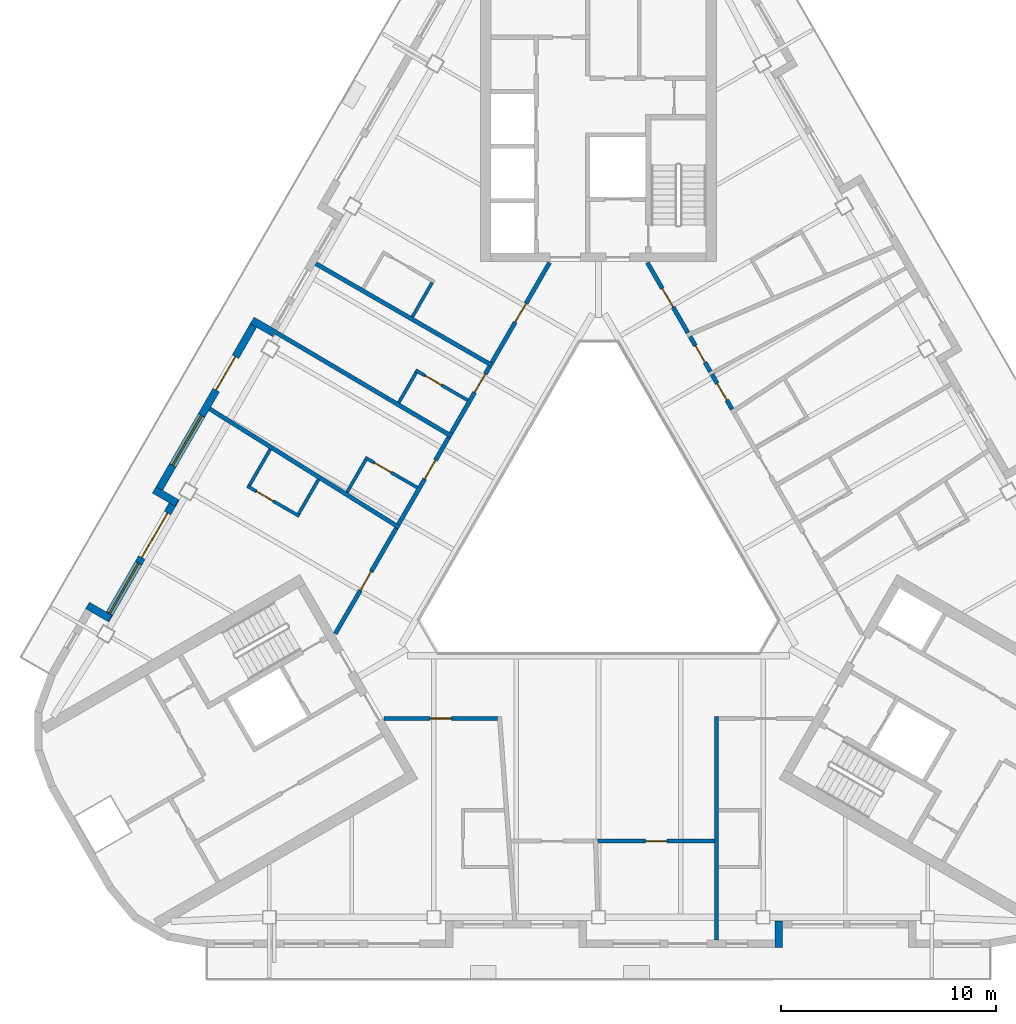
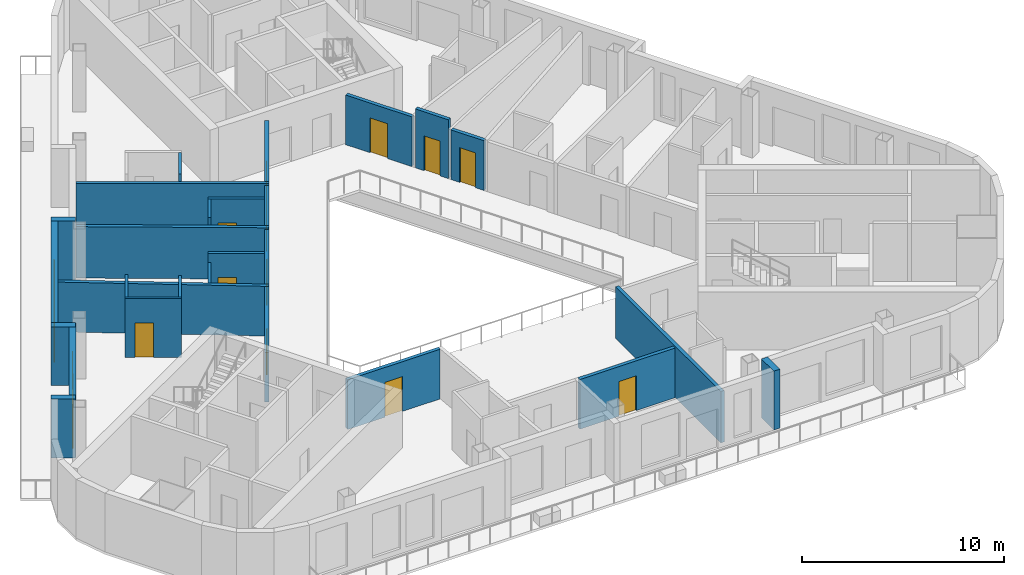
# One storey, part 4 of 14: 27 walls, 14 doors, 2 windows, 16 openings.
"""IFC4 building model written with IfcOpenShell, lengths in metres."""

from ifc_helpers import new_model, si_unit, direction, frame, frame_2d, origin, place, context, subcontext, project, spatial, rectangle, extrude, material, layer, layer_set, type_object, element, fill, save


model = new_model("IFC4")

# Units and contexts
model_context = context("Model", 3, precision=1e-05, world=origin(), true_north=direction((0.0, 1.0)))
body_context = subcontext(model_context, "Body", "Model", "MODEL_VIEW")
ifc_project = project(units=[si_unit("LENGTHUNIT", "METRE"), si_unit("AREAUNIT", "SQUARE_METRE"), si_unit("VOLUMEUNIT", "CUBIC_METRE"), si_unit("PLANEANGLEUNIT", "RADIAN"), si_unit("MASSUNIT", "GRAM", prefix="KILO")], contexts=[model_context])

# Site, building, storey
site_placement = place(None, origin())
site = spatial("IfcSite", under=ifc_project, at=site_placement, CompositionType="ELEMENT")
building_placement = place(site_placement, origin())
building = spatial("IfcBuilding", under=site, at=building_placement, Name="Apuvela Tower Hotel", CompositionType="ELEMENT")
storey_placement = place(building_placement, frame((0.0, 0.0, 261.5)))
storey = spatial("IfcBuildingStorey", under=building, at=storey_placement, Name="L64", CompositionType="ELEMENT", Elevation=261.5)

# Wall
ifc_material_1 = material(Name="Concrete C40/50, dark pigmented precast panel", Category="concrete")
ifc_layer_1 = layer(ifc_material_1, 0.35009765625)
ifc_layer_set_1 = layer_set([ifc_layer_1], Name="ENV-WALL-350")
wall_type_1 = type_object("IfcWallType", Name="ENV-WALL-350", PredefinedType="SOLIDWALL", material=ifc_layer_set_1)
wall_1_placement = place(storey_placement, frame((-15.08984375, 9.54931640625, 0.0), z_axis=(0.0, 0.0, 1.0), x_axis=(-0.866092288191, 0.499884134912, 0.0)))
element("IfcWall", 1, at=wall_1_placement, inside=storey, type_object=wall_type_1, Name="External wall L64-04", PredefinedType="SOLIDWALL", context=body_context, shape_type="SweptSolid", body=[
    extrude(rectangle(XDim=1.219970703125, YDim=0.35009765625, at=frame_2d((0.60986328125, 0.0))), origin(), (0.0, 0.0, 1.0), 3.550048828125),
])

# Wall, openings, door, window
wall_2_placement = place(storey_placement, frame((-15.907470703125, 10.223388671875, 0.0), z_axis=(0.0, 0.0, 1.0), x_axis=(-0.499992427901, -0.866029775494, 0.0)))
wall_2 = element("IfcWall", 2, at=wall_2_placement, inside=storey, type_object=wall_type_1, Name="External wall L64-05", PredefinedType="SOLIDWALL", context=body_context, shape_type="SweptSolid", body=[
    extrude(rectangle(XDim=9.471923828125, YDim=0.35009765625, at=frame_2d((4.73583984375, 0.0))), origin(), (0.0, 0.0, 1.0), 3.550048828125),
])
opening_1_placement = place(wall_2_placement, frame((2.0302734375, 0.0, 0.0)))
opening_1 = element("IfcOpeningElement", 3, at=opening_1_placement, cuts=wall_2, Name="Opening BD18", PredefinedType="OPENING", context=body_context, shape_type="SweptSolid", body=[
    extrude(rectangle(XDim=1.800048828125, YDim=2.39990234375, at=frame_2d((0.89990234375, 1.199951171875))), frame((0.0, 0.18505859375, 0.0), z_axis=(0.0, -1.0, 0.0), x_axis=(1.0, 0.0, 0.0)), (0.0, 0.0, 1.0), 0.3701171875),
])
opening_2_placement = place(wall_2_placement, frame((5.185546875, 0.0, 0.300048828125)))
opening_2 = element("IfcOpeningElement", 4, at=opening_2_placement, cuts=wall_2, Name="Opening WN27", PredefinedType="OPENING", context=body_context, shape_type="SweptSolid", body=[
    extrude(rectangle(XDim=2.699951171875, YDim=2.64990234375, at=frame_2d((1.35009765625, 1.324951171875))), frame((0.0, 0.18505859375, 0.0), z_axis=(0.0, -1.0, 0.0), x_axis=(1.0, 0.0, 0.0)), (0.0, 0.0, 1.0), 0.3701171875),
])
ifc_material_2 = material(Name="Aluminium 6063-T6, dark bronze anodised frame with dark tinted laminated glass", Category="aluminium")
door_type_1 = type_object("IfcDoorType", Name="ENV-DOOR-BALCONY-1800x2400", OperationType="SLIDING_TO_LEFT", PredefinedType="DOOR", material=ifc_material_2)
door_1_placement = place(opening_1_placement, frame((1.800048828125, 0.0, 0.0), z_axis=(0.0, 0.0, 1.0), x_axis=(-1.0, 0.0, 0.0)))
door_1 = element("IfcDoor", 5, at=door_1_placement, inside=storey, type_object=door_type_1, Name="Balcony door BD18", OperationType="SLIDING_TO_LEFT", OverallHeight=2.39990234375, OverallWidth=1.800048828125, PredefinedType="DOOR", context=body_context, shape_type="SweptSolid", body=[
    extrude(rectangle(XDim=1.800048828125, YDim=2.39990234375, at=frame_2d((0.89990234375, 1.199951171875))), frame((0.0, 0.02490234375, 0.0), z_axis=(0.0, -1.0, 0.0), x_axis=(1.0, 0.0, 0.0)), (0.0, 0.0, 1.0), 0.050048828125),
])
fill(opening_1, door_1)
ifc_material_3 = material(Name="Glass, dark tinted laminated insulated glazing unit", Category="glass")
window_type = type_object("IfcWindowType", Name="ENV-WIN-2700x2650", PartitioningType="SINGLE_PANEL", PredefinedType="WINDOW", material=ifc_material_3)
window_1_placement = place(opening_2_placement, origin())
window_1 = element("IfcWindow", 6, at=window_1_placement, inside=storey, type_object=window_type, Name="Window WN27", OverallHeight=2.64990234375, OverallWidth=2.699951171875, PartitioningType="SINGLE_PANEL", PredefinedType="WINDOW", context=body_context, shape_type="SweptSolid", body=[
    extrude(rectangle(XDim=2.699951171875, YDim=2.64990234375, at=frame_2d((1.35009765625, 1.324951171875))), frame((0.0, 0.030029296875, 0.0), z_axis=(0.0, -1.0, 0.0), x_axis=(1.0, 0.0, 0.0)), (0.0, 0.0, 1.0), 0.06005859375),
])
fill(opening_2, window_1)

# Wall
wall_3_placement = place(storey_placement, frame((-20.70751953125, 2.259521484375, 0.0), z_axis=(0.0, 0.0, 1.0), x_axis=(0.866092288191, -0.499884134912, 0.0)))
element("IfcWall", 7, at=wall_3_placement, inside=storey, type_object=wall_type_1, Name="External wall L64-06", PredefinedType="SOLIDWALL", context=body_context, shape_type="SweptSolid", body=[
    extrude(rectangle(XDim=1.219970703125, YDim=0.35009765625, at=frame_2d((0.60986328125, 0.0))), origin(), (0.0, 0.0, 1.0), 3.550048828125),
])

# Wall, openings, door, window
wall_4_placement = place(storey_placement, frame((-19.703857421875, 1.84765625, 0.0), z_axis=(0.0, 0.0, 1.0), x_axis=(-0.499993986225, -0.866028875811, 0.0)))
wall_4 = element("IfcWall", 8, at=wall_4_placement, inside=storey, type_object=wall_type_1, Name="External wall L64-07", PredefinedType="SOLIDWALL", context=body_context, shape_type="SweptSolid", body=[
    extrude(rectangle(XDim=6.51171875, YDim=0.35009765625, at=frame_2d((3.255859375, 0.0))), origin(), (0.0, 0.0, 1.0), 3.550048828125),
])
opening_3_placement = place(wall_4_placement, frame((0.77001953125, 0.0, 0.0)))
opening_3 = element("IfcOpeningElement", 9, at=opening_3_placement, cuts=wall_4, Name="Opening BD24", PredefinedType="OPENING", context=body_context, shape_type="SweptSolid", body=[
    extrude(rectangle(XDim=2.39990234375, YDim=2.39990234375, at=frame_2d((1.199951171875, 1.199951171875))), frame((0.0, 0.18505859375, 0.0), z_axis=(0.0, -1.0, 0.0), x_axis=(1.0, 0.0, 0.0)), (0.0, 0.0, 1.0), 0.3701171875),
])
opening_4_placement = place(wall_4_placement, frame((3.469970703125, 0.0, 0.300048828125)))
opening_4 = element("IfcOpeningElement", 10, at=opening_4_placement, cuts=wall_4, Name="Opening WN27", PredefinedType="OPENING", context=body_context, shape_type="SweptSolid", body=[
    extrude(rectangle(XDim=2.699951171875, YDim=2.64990234375, at=frame_2d((1.35009765625, 1.324951171875))), frame((0.0, 0.18505859375, 0.0), z_axis=(0.0, -1.0, 0.0), x_axis=(1.0, 0.0, 0.0)), (0.0, 0.0, 1.0), 0.3701171875),
])
door_type_2 = type_object("IfcDoorType", Name="ENV-DOOR-BALCONY-2400x2400", OperationType="SLIDING_TO_LEFT", PredefinedType="DOOR", material=ifc_material_2)
door_2_placement = place(opening_3_placement, frame((2.39990234375, 0.0, 0.0), z_axis=(0.0, 0.0, 1.0), x_axis=(-1.0, 0.0, 0.0)))
door_2 = element("IfcDoor", 11, at=door_2_placement, inside=storey, type_object=door_type_2, Name="Balcony door BD24", OperationType="SLIDING_TO_LEFT", OverallHeight=2.39990234375, OverallWidth=2.39990234375, PredefinedType="DOOR", context=body_context, shape_type="SweptSolid", body=[
    extrude(rectangle(XDim=2.39990234375, YDim=2.39990234375, at=frame_2d((1.199951171875, 1.199951171875))), frame((0.0, 0.02490234375, 0.0), z_axis=(0.0, -1.0, 0.0), x_axis=(1.0, 0.0, 0.0)), (0.0, 0.0, 1.0), 0.050048828125),
])
fill(opening_3, door_2)
window_2_placement = place(opening_4_placement, origin())
window_2 = element("IfcWindow", 12, at=window_2_placement, inside=storey, type_object=window_type, Name="Window WN27", OverallHeight=2.64990234375, OverallWidth=2.699951171875, PartitioningType="SINGLE_PANEL", PredefinedType="WINDOW", context=body_context, shape_type="SweptSolid", body=[
    extrude(rectangle(XDim=2.699951171875, YDim=2.64990234375, at=frame_2d((1.35009765625, 1.324951171875))), frame((0.0, 0.030029296875, 0.0), z_axis=(0.0, -1.0, 0.0), x_axis=(1.0, 0.0, 0.0)), (0.0, 0.0, 1.0), 0.06005859375),
])
fill(opening_4, window_2)

# Walls
wall_5_placement = place(storey_placement, frame((-22.76171875, -3.738525390625, 0.0), z_axis=(0.0, 0.0, 1.0), x_axis=(-0.866042269935, 0.499970785833, 0.0)))
element("IfcWall", 13, at=wall_5_placement, inside=storey, type_object=wall_type_1, Name="External wall L64-08", PredefinedType="SOLIDWALL", context=body_context, shape_type="SweptSolid", body=[
    extrude(rectangle(XDim=1.2197265625, YDim=0.35009765625, at=frame_2d((0.60986328125, 0.0))), origin(), (0.0, 0.0, 1.0), 3.550048828125),
])
wall_6_placement = place(storey_placement, frame((8.396728515625, -19.06298828125, 0.0), z_axis=(0.0, 0.0, 1.0), x_axis=(0.0, 1.0, 0.0)))
element("IfcWall", 14, at=wall_6_placement, inside=storey, type_object=wall_type_1, Name="External wall L64-22", PredefinedType="SOLIDWALL", context=body_context, shape_type="SweptSolid", body=[
    extrude(rectangle(XDim=1.219970703125, YDim=0.35009765625, at=frame_2d((0.60986328125, 0.0))), origin(), (0.0, 0.0, 1.0), 3.550048828125),
])
ifc_material_4 = material(Name="Gypsum board partition on twin steel stud", Category="steel")
ifc_layer_2 = layer(ifc_material_4, 0.199951171875)
ifc_layer_set_2 = layer_set([ifc_layer_2], Name="GST-PW1")
wall_type_2 = type_object("IfcWallType", Name="GST-PW1", PredefinedType="PARTITIONING", material=ifc_layer_set_2)
wall_7_placement = place(storey_placement, frame((5.5, -18.712890625, 0.0), z_axis=(0.0, 0.0, 1.0), x_axis=(0.0, 1.0, 0.0)))
element("IfcWall", 15, at=wall_7_placement, inside=storey, type_object=wall_type_2, Name="L64 partition 03", PredefinedType="PARTITIONING", context=body_context, shape_type="SweptSolid", body=[
    extrude(rectangle(XDim=10.412841796875, YDim=0.199951171875, at=frame_2d((5.20654296875, 0.0))), origin(), (0.0, 0.0, 1.0), 3.10009765625),
])
wall_8_placement = place(storey_placement, frame((-13.176513671875, 12.8037109375, 0.0), z_axis=(0.0, 0.0, 1.0), x_axis=(0.866021901412, -0.500006066238, 0.0)))
element("IfcWall", 16, at=wall_8_placement, inside=storey, type_object=wall_type_2, Name="L64 partition 08", PredefinedType="PARTITIONING", context=body_context, shape_type="SweptSolid", body=[
    extrude(rectangle(XDim=9.51318359375, YDim=0.199951171875, at=frame_2d((4.756591796875, 0.0))), origin(), (0.0, 0.0, 1.0), 3.10009765625),
])
wall_9_placement = place(storey_placement, frame((-15.028564453125, 9.595703125, 0.0), z_axis=(0.0, 0.0, 1.0), x_axis=(0.860830464323, -0.508891846754, 0.0)))
element("IfcWall", 17, at=wall_9_placement, inside=storey, type_object=wall_type_2, Name="L64 partition 09", PredefinedType="PARTITIONING", context=body_context, shape_type="SweptSolid", body=[
    extrude(rectangle(XDim=9.513427734375, YDim=0.199951171875, at=frame_2d((4.7568359375, 0.0))), origin(), (0.0, 0.0, 1.0), 3.10009765625),
])
wall_10_placement = place(storey_placement, frame((-18.123779296875, 6.034423828125, 0.0), z_axis=(0.0, 0.0, 1.0), x_axis=(0.847667734063, -0.530527485271, 0.0)))
element("IfcWall", 18, at=wall_10_placement, inside=storey, type_object=wall_type_2, Name="L64 partition 10", PredefinedType="PARTITIONING", context=body_context, shape_type="SweptSolid", body=[
    extrude(rectangle(XDim=10.41943359375, YDim=0.199951171875, at=frame_2d((5.209716796875, 0.0))), origin(), (0.0, 0.0, 1.0), 3.0),
])

# Wall, opening, door
ifc_material_5 = material(Name="Gypsum board corridor wall on twin steel stud, acoustic", Category="steel")
ifc_layer_3 = layer(ifc_material_5, 0.199951171875)
ifc_layer_set_3 = layer_set([ifc_layer_3], Name="GST-PW2")
wall_type_3 = type_object("IfcWallType", Name="GST-PW2", PredefinedType="PARTITIONING", material=ifc_layer_set_3)
wall_11_placement = place(storey_placement, frame((-4.707763671875, -8.39990234375, 0.0), z_axis=(0.0, 0.0, 1.0), x_axis=(-1.0, 0.0, 0.0)))
wall_11 = element("IfcWall", 19, at=wall_11_placement, inside=storey, type_object=wall_type_3, Name="L64 partition 11", PredefinedType="PARTITIONING", context=body_context, shape_type="SweptSolid", body=[
    extrude(rectangle(XDim=5.280517578125, YDim=0.199951171875, at=frame_2d((2.64013671875, 0.0))), origin(), (0.0, 0.0, 1.0), 3.0),
])
opening_5_placement = place(wall_11_placement, frame((2.14013671875, 0.0, 0.0)))
opening_5 = element("IfcOpeningElement", 20, at=opening_5_placement, cuts=wall_11, Name="Opening GD25-02", PredefinedType="OPENING", context=body_context, shape_type="SweptSolid", body=[
    extrude(rectangle(XDim=1.0, YDim=2.10009765625, at=frame_2d((0.5, 1.050048828125))), frame((0.0, 0.10986328125, 0.0), z_axis=(0.0, -1.0, 0.0), x_axis=(1.0, 0.0, 0.0)), (0.0, 0.0, 1.0), 0.219970703125),
])
ifc_material_6 = material(Name="Timber door leaf in steel frame", Category="steel")
door_type_3 = type_object("IfcDoorType", Name="GST-D1", OperationType="NOTDEFINED", PredefinedType="DOOR", material=ifc_material_6)
door_3_placement = place(opening_5_placement, origin())
door_3 = element("IfcDoor", 21, at=door_3_placement, inside=storey, type_object=door_type_3, Name="Door L64-02", OperationType="SINGLE_SWING_LEFT", OverallHeight=2.10009765625, OverallWidth=1.0, PredefinedType="DOOR", context=body_context, shape_type="SweptSolid", body=[
    extrude(rectangle(XDim=1.0, YDim=2.10009765625, at=frame_2d((0.5, 1.050048828125))), frame((0.0, 0.02490234375, 0.0), z_axis=(0.0, -1.0, 0.0), x_axis=(1.0, 0.0, 0.0)), (0.0, 0.0, 1.0), 0.050048828125),
])
fill(opening_5, door_3)

wall_12_placement = place(storey_placement, frame((5.39990234375, -14.11279296875, 0.0), z_axis=(0.0, 0.0, 1.0), x_axis=(-1.0, 0.0, 0.0)))
wall_12 = element("IfcWall", 22, at=wall_12_placement, inside=storey, type_object=wall_type_3, Name="L64 partition 16", PredefinedType="PARTITIONING", context=body_context, shape_type="SweptSolid", body=[
    extrude(rectangle(XDim=5.43505859375, YDim=0.199951171875, at=frame_2d((2.717529296875, 0.0))), origin(), (0.0, 0.0, 1.0), 3.0),
])
opening_6_placement = place(wall_12_placement, frame((2.217529296875, 0.0, 0.0)))
opening_6 = element("IfcOpeningElement", 23, at=opening_6_placement, cuts=wall_12, Name="Opening GD25-04", PredefinedType="OPENING", context=body_context, shape_type="SweptSolid", body=[
    extrude(rectangle(XDim=1.0, YDim=2.10009765625, at=frame_2d((0.5, 1.050048828125))), frame((0.0, 0.10986328125, 0.0), z_axis=(0.0, -1.0, 0.0), x_axis=(1.0, 0.0, 0.0)), (0.0, 0.0, 1.0), 0.219970703125),
])
door_4_placement = place(opening_6_placement, origin())
door_4 = element("IfcDoor", 24, at=door_4_placement, inside=storey, type_object=door_type_3, Name="Door L64-04", OperationType="SINGLE_SWING_LEFT", OverallHeight=2.10009765625, OverallWidth=1.0, PredefinedType="DOOR", context=body_context, shape_type="SweptSolid", body=[
    extrude(rectangle(XDim=1.0, YDim=2.10009765625, at=frame_2d((0.5, 1.050048828125))), frame((0.0, 0.02490234375, 0.0), z_axis=(0.0, -1.0, 0.0), x_axis=(1.0, 0.0, 0.0)), (0.0, 0.0, 1.0), 0.050048828125),
])
fill(opening_6, door_4)

wall_13_placement = place(storey_placement, frame((5.28564453125, 7.64501953125, 0.0), z_axis=(0.0, 0.0, 1.0), x_axis=(0.500014143148, -0.86601723808, 0.0)))
wall_13 = element("IfcWall", 25, at=wall_13_placement, inside=storey, type_object=wall_type_3, Name="L64 partition 32", PredefinedType="PARTITIONING", context=body_context, shape_type="SweptSolid", body=[
    extrude(rectangle(XDim=1.8837890625, YDim=0.199951171875, at=frame_2d((0.94189453125, 0.0))), origin(), (0.0, 0.0, 1.0), 3.0),
])
opening_7_placement = place(wall_13_placement, frame((0.491943359375, 0.0, 0.0)))
opening_7 = element("IfcOpeningElement", 26, at=opening_7_placement, cuts=wall_13, Name="Opening GD25-13", PredefinedType="OPENING", context=body_context, shape_type="SweptSolid", body=[
    extrude(rectangle(XDim=0.89990234375, YDim=2.10009765625, at=frame_2d((0.449951171875, 1.050048828125))), frame((0.0, 0.10986328125, 0.0), z_axis=(0.0, -1.0, 0.0), x_axis=(1.0, 0.0, 0.0)), (0.0, 0.0, 1.0), 0.219970703125),
])
door_type_4 = type_object("IfcDoorType", Name="GST-D2", OperationType="NOTDEFINED", PredefinedType="DOOR", material=ifc_material_6)
door_5_placement = place(opening_7_placement, origin())
door_5 = element("IfcDoor", 27, at=door_5_placement, inside=storey, type_object=door_type_4, Name="Door L64-13", OperationType="SINGLE_SWING_LEFT", OverallHeight=2.10009765625, OverallWidth=0.89990234375, PredefinedType="DOOR", context=body_context, shape_type="SweptSolid", body=[
    extrude(rectangle(XDim=0.89990234375, YDim=2.10009765625, at=frame_2d((0.449951171875, 1.050048828125))), frame((0.0, 0.02490234375, 0.0), z_axis=(0.0, -1.0, 0.0), x_axis=(1.0, 0.0, 0.0)), (0.0, 0.0, 1.0), 0.050048828125),
])
fill(opening_7, door_5)

wall_14_placement = place(storey_placement, frame((4.26904296875, 9.406005859375, 0.0), z_axis=(0.0, 0.0, 1.0), x_axis=(0.499973055223, -0.8660409598, 0.0)))
wall_14 = element("IfcWall", 28, at=wall_14_placement, inside=storey, type_object=wall_type_3, Name="L64 partition 33", PredefinedType="PARTITIONING", context=body_context, shape_type="SweptSolid", body=[
    extrude(rectangle(XDim=1.88330078125, YDim=0.199951171875, at=frame_2d((0.941650390625, 0.0))), origin(), (0.0, 0.0, 1.0), 3.550048828125),
])
opening_8_placement = place(wall_14_placement, frame((0.49169921875, 0.0, 0.0)))
opening_8 = element("IfcOpeningElement", 29, at=opening_8_placement, cuts=wall_14, Name="Opening GD25-14", PredefinedType="OPENING", context=body_context, shape_type="SweptSolid", body=[
    extrude(rectangle(XDim=0.89990234375, YDim=2.10009765625, at=frame_2d((0.449951171875, 1.050048828125))), frame((0.0, 0.10986328125, 0.0), z_axis=(0.0, -1.0, 0.0), x_axis=(1.0, 0.0, 0.0)), (0.0, 0.0, 1.0), 0.219970703125),
])
door_6_placement = place(opening_8_placement, origin())
door_6 = element("IfcDoor", 30, at=door_6_placement, inside=storey, type_object=door_type_4, Name="Door L64-14", OperationType="SINGLE_SWING_RIGHT", OverallHeight=2.10009765625, OverallWidth=0.89990234375, PredefinedType="DOOR", context=body_context, shape_type="SweptSolid", body=[
    extrude(rectangle(XDim=0.89990234375, YDim=2.10009765625, at=frame_2d((0.449951171875, 1.050048828125))), frame((0.0, 0.02490234375, 0.0), z_axis=(0.0, -1.0, 0.0), x_axis=(1.0, 0.0, 0.0)), (0.0, 0.0, 1.0), 0.050048828125),
])
fill(opening_8, door_6)

wall_15_placement = place(storey_placement, frame((2.280517578125, 12.85009765625, 0.0), z_axis=(0.0, 0.0, 1.0), x_axis=(0.499978071388, -0.866038063904, 0.0)))
wall_15 = element("IfcWall", 31, at=wall_15_placement, inside=storey, type_object=wall_type_3, Name="L64 partition 34", PredefinedType="PARTITIONING", context=body_context, shape_type="SweptSolid", body=[
    extrude(rectangle(XDim=3.775634765625, YDim=0.199951171875, at=frame_2d((1.8876953125, 0.0))), origin(), (0.0, 0.0, 1.0), 3.0),
])
opening_9_placement = place(wall_15_placement, frame((1.3876953125, 0.0, 0.0)))
opening_9 = element("IfcOpeningElement", 32, at=opening_9_placement, cuts=wall_15, Name="Opening GD25-16", PredefinedType="OPENING", context=body_context, shape_type="SweptSolid", body=[
    extrude(rectangle(XDim=1.0, YDim=2.10009765625, at=frame_2d((0.5, 1.050048828125))), frame((0.0, 0.10986328125, 0.0), z_axis=(0.0, -1.0, 0.0), x_axis=(1.0, 0.0, 0.0)), (0.0, 0.0, 1.0), 0.219970703125),
])
door_7_placement = place(opening_9_placement, origin())
door_7 = element("IfcDoor", 33, at=door_7_placement, inside=storey, type_object=door_type_3, Name="Door L64-16", OperationType="SINGLE_SWING_RIGHT", OverallHeight=2.10009765625, OverallWidth=1.0, PredefinedType="DOOR", context=body_context, shape_type="SweptSolid", body=[
    extrude(rectangle(XDim=1.0, YDim=2.10009765625, at=frame_2d((0.5, 1.050048828125))), frame((0.0, 0.02490234375, 0.0), z_axis=(0.0, -1.0, 0.0), x_axis=(1.0, 0.0, 0.0)), (0.0, 0.0, 1.0), 0.050048828125),
])
fill(opening_9, door_7)

wall_16_placement = place(storey_placement, frame((-4.974609375, 8.18359375, 0.0), z_axis=(0.0, 0.0, 1.0), x_axis=(0.499983925036, 0.86603468447, 0.0)))
wall_16 = element("IfcWall", 34, at=wall_16_placement, inside=storey, type_object=wall_type_3, Name="L64 partition 38", PredefinedType="PARTITIONING", context=body_context, shape_type="SweptSolid", body=[
    extrude(rectangle(XDim=5.388427734375, YDim=0.199951171875, at=frame_2d((2.6943359375, 0.0))), origin(), (0.0, 0.0, 1.0), 3.0),
])
opening_10_placement = place(wall_16_placement, frame((2.194091796875, 0.0, 0.0)))
opening_10 = element("IfcOpeningElement", 35, at=opening_10_placement, cuts=wall_16, Name="Opening GD25-18", PredefinedType="OPENING", context=body_context, shape_type="SweptSolid", body=[
    extrude(rectangle(XDim=1.0, YDim=2.10009765625, at=frame_2d((0.5, 1.050048828125))), frame((0.0, 0.10986328125, 0.0), z_axis=(0.0, -1.0, 0.0), x_axis=(1.0, 0.0, 0.0)), (0.0, 0.0, 1.0), 0.219970703125),
])
door_8_placement = place(opening_10_placement, origin())
door_8 = element("IfcDoor", 36, at=door_8_placement, inside=storey, type_object=door_type_3, Name="Door L64-18", OperationType="SINGLE_SWING_LEFT", OverallHeight=2.10009765625, OverallWidth=1.0, PredefinedType="DOOR", context=body_context, shape_type="SweptSolid", body=[
    extrude(rectangle(XDim=1.0, YDim=2.10009765625, at=frame_2d((0.5, 1.050048828125))), frame((0.0, 0.02490234375, 0.0), z_axis=(0.0, -1.0, 0.0), x_axis=(1.0, 0.0, 0.0)), (0.0, 0.0, 1.0), 0.050048828125),
])
fill(opening_10, door_8)

wall_17_placement = place(storey_placement, frame((-6.875, 4.891845703125, 0.0), z_axis=(0.0, 0.0, 1.0), x_axis=(0.499945471869, 0.866056883327, 0.0)))
wall_17 = element("IfcWall", 37, at=wall_17_placement, inside=storey, type_object=wall_type_3, Name="L64 partition 42", PredefinedType="PARTITIONING", context=body_context, shape_type="SweptSolid", body=[
    extrude(rectangle(XDim=3.60107421875, YDim=0.199951171875, at=frame_2d((1.800537109375, 0.0))), origin(), (0.0, 0.0, 1.0), 3.0),
])
opening_11_placement = place(wall_17_placement, frame((2.200927734375, 0.0, 0.0)))
opening_11 = element("IfcOpeningElement", 38, at=opening_11_placement, cuts=wall_17, Name="Opening GD25-20", PredefinedType="OPENING", context=body_context, shape_type="SweptSolid", body=[
    extrude(rectangle(XDim=1.0, YDim=2.10009765625, at=frame_2d((0.5, 1.050048828125))), frame((0.0, 0.10986328125, 0.0), z_axis=(0.0, -1.0, 0.0), x_axis=(1.0, 0.0, 0.0)), (0.0, 0.0, 1.0), 0.219970703125),
])
door_9_placement = place(opening_11_placement, origin())
door_9 = element("IfcDoor", 39, at=door_9_placement, inside=storey, type_object=door_type_3, Name="Door L64-20", OperationType="SINGLE_SWING_RIGHT", OverallHeight=2.10009765625, OverallWidth=1.0, PredefinedType="DOOR", context=body_context, shape_type="SweptSolid", body=[
    extrude(rectangle(XDim=1.0, YDim=2.10009765625, at=frame_2d((0.5, 1.050048828125))), frame((0.0, 0.02490234375, 0.0), z_axis=(0.0, -1.0, 0.0), x_axis=(1.0, 0.0, 0.0)), (0.0, 0.0, 1.0), 0.050048828125),
])
fill(opening_11, door_9)

wall_18_placement = place(storey_placement, frame((-9.326416015625, 0.646240234375, 0.0), z_axis=(0.0, 0.0, 1.0), x_axis=(0.500008572427, 0.866020454435, 0.0)))
wall_18 = element("IfcWall", 40, at=wall_18_placement, inside=storey, type_object=wall_type_3, Name="L64 partition 45", PredefinedType="PARTITIONING", context=body_context, shape_type="SweptSolid", body=[
    extrude(rectangle(XDim=4.70263671875, YDim=0.199951171875, at=frame_2d((2.351318359375, 0.0))), origin(), (0.0, 0.0, 1.0), 3.0),
])
opening_12_placement = place(wall_18_placement, frame((2.45361328125, 0.0, 0.0)))
opening_12 = element("IfcOpeningElement", 41, at=opening_12_placement, cuts=wall_18, Name="Opening GD25-22", PredefinedType="OPENING", context=body_context, shape_type="SweptSolid", body=[
    extrude(rectangle(XDim=1.0, YDim=2.10009765625, at=frame_2d((0.5, 1.050048828125))), frame((0.0, 0.10986328125, 0.0), z_axis=(0.0, -1.0, 0.0), x_axis=(1.0, 0.0, 0.0)), (0.0, 0.0, 1.0), 0.219970703125),
])
door_10_placement = place(opening_12_placement, origin())
door_10 = element("IfcDoor", 42, at=door_10_placement, inside=storey, type_object=door_type_3, Name="Door L64-22", OperationType="SINGLE_SWING_RIGHT", OverallHeight=2.10009765625, OverallWidth=1.0, PredefinedType="DOOR", context=body_context, shape_type="SweptSolid", body=[
    extrude(rectangle(XDim=1.0, YDim=2.10009765625, at=frame_2d((0.5, 1.050048828125))), frame((0.0, 0.02490234375, 0.0), z_axis=(0.0, -1.0, 0.0), x_axis=(1.0, 0.0, 0.0)), (0.0, 0.0, 1.0), 0.050048828125),
])
fill(opening_12, door_10)

wall_19_placement = place(storey_placement, frame((-12.268798828125, -4.449951171875, 0.0), z_axis=(0.0, 0.0, 1.0), x_axis=(0.500009958894, 0.866019653938, 0.0)))
wall_19 = element("IfcWall", 43, at=wall_19_placement, inside=storey, type_object=wall_type_3, Name="L64 partition 48", PredefinedType="PARTITIONING", context=body_context, shape_type="SweptSolid", body=[
    extrude(rectangle(XDim=5.6845703125, YDim=0.199951171875, at=frame_2d((2.84228515625, 0.0))), origin(), (0.0, 0.0, 1.0), 3.0),
])
opening_13_placement = place(wall_19_placement, frame((2.34228515625, 0.0, 0.0)))
opening_13 = element("IfcOpeningElement", 44, at=opening_13_placement, cuts=wall_19, Name="Opening GD25-24", PredefinedType="OPENING", context=body_context, shape_type="SweptSolid", body=[
    extrude(rectangle(XDim=1.0, YDim=2.10009765625, at=frame_2d((0.5, 1.050048828125))), frame((0.0, 0.10986328125, 0.0), z_axis=(0.0, -1.0, 0.0), x_axis=(1.0, 0.0, 0.0)), (0.0, 0.0, 1.0), 0.219970703125),
])
door_11_placement = place(opening_13_placement, origin())
door_11 = element("IfcDoor", 45, at=door_11_placement, inside=storey, type_object=door_type_3, Name="Door L64-24", OperationType="SINGLE_SWING_RIGHT", OverallHeight=2.10009765625, OverallWidth=1.0, PredefinedType="DOOR", context=body_context, shape_type="SweptSolid", body=[
    extrude(rectangle(XDim=1.0, YDim=2.10009765625, at=frame_2d((0.5, 1.050048828125))), frame((0.0, 0.02490234375, 0.0), z_axis=(0.0, -1.0, 0.0), x_axis=(1.0, 0.0, 0.0)), (0.0, 0.0, 1.0), 0.050048828125),
])
fill(opening_13, door_11)

# Wall
ifc_material_7 = material(Name="Moisture-resistant gypsum board wet wall on steel stud", Category="steel")
ifc_layer_4 = layer(ifc_material_7, 0.14990234375)
ifc_layer_set_4 = layer_set([ifc_layer_4], Name="GST-PW3")
wall_type_4 = type_object("IfcWallType", Name="GST-PW3", PredefinedType="PARTITIONING", material=ifc_layer_set_4)
wall_20_placement = place(storey_placement, frame((-7.751953125, 11.92333984375, 0.0), z_axis=(0.0, 0.0, 1.0), x_axis=(-0.500042316284, -0.866000971088, 0.0)))
element("IfcWall", 46, at=wall_20_placement, inside=storey, type_object=wall_type_4, Name="L64 partition 41", PredefinedType="PARTITIONING", context=body_context, shape_type="SweptSolid", body=[
    extrude(rectangle(XDim=1.849853515625, YDim=0.14990234375, at=frame_2d((0.9248046875, 0.0))), origin(), (0.0, 0.0, 1.0), 3.550048828125),
])

# Wall, opening, door
wall_21_placement = place(storey_placement, frame((-6.09814453125, 6.4375, 0.0), z_axis=(0.0, 0.0, 1.0), x_axis=(-0.866018616679, 0.500011755427, 0.0)))
wall_21 = element("IfcWall", 47, at=wall_21_placement, inside=storey, type_object=wall_type_4, Name="L64 partition 43", PredefinedType="PARTITIONING", context=body_context, shape_type="SweptSolid", body=[
    extrude(rectangle(XDim=2.80029296875, YDim=0.14990234375, at=frame_2d((1.400146484375, 0.0))), origin(), (0.0, 0.0, 1.0), 3.550048828125),
])
opening_14_placement = place(wall_21_placement, frame((1.39990234375, 0.0, 0.0)))
opening_14 = element("IfcOpeningElement", 48, at=opening_14_placement, cuts=wall_21, Name="Opening GD25-19", PredefinedType="OPENING", context=body_context, shape_type="SweptSolid", body=[
    extrude(rectangle(XDim=0.89990234375, YDim=2.10009765625, at=frame_2d((0.449951171875, 1.050048828125))), frame((0.0, 0.0849609375, 0.0), z_axis=(0.0, -1.0, 0.0), x_axis=(1.0, 0.0, 0.0)), (0.0, 0.0, 1.0), 0.169921875),
])
door_12_placement = place(opening_14_placement, origin())
door_12 = element("IfcDoor", 49, at=door_12_placement, inside=storey, type_object=door_type_4, Name="Door L64-19", OperationType="SINGLE_SWING_RIGHT", OverallHeight=2.10009765625, OverallWidth=0.89990234375, PredefinedType="DOOR", context=body_context, shape_type="SweptSolid", body=[
    extrude(rectangle(XDim=0.89990234375, YDim=2.10009765625, at=frame_2d((0.449951171875, 1.050048828125))), frame((0.0, 0.02490234375, 0.0), z_axis=(0.0, -1.0, 0.0), x_axis=(1.0, 0.0, 0.0)), (0.0, 0.0, 1.0), 0.050048828125),
])
fill(opening_14, door_12)

# Wall
wall_22_placement = place(storey_placement, frame((-8.49560546875, 7.735107421875, 0.0), z_axis=(0.0, 0.0, 1.0), x_axis=(-0.500021943523, -0.866012734315, 0.0)))
element("IfcWall", 50, at=wall_22_placement, inside=storey, type_object=wall_type_4, Name="L64 partition 44", PredefinedType="PARTITIONING", context=body_context, shape_type="SweptSolid", body=[
    extrude(rectangle(XDim=1.623046875, YDim=0.14990234375, at=frame_2d((0.8115234375, 0.0))), origin(), (0.0, 0.0, 1.0), 3.550048828125),
])

# Wall, opening, door
wall_23_placement = place(storey_placement, frame((-8.44873046875, 2.366455078125, 0.0), z_axis=(0.0, 0.0, 1.0), x_axis=(-0.866034573852, 0.49998411664, 0.0)))
wall_23 = element("IfcWall", 51, at=wall_23_placement, inside=storey, type_object=wall_type_4, Name="L64 partition 46", PredefinedType="PARTITIONING", context=body_context, shape_type="SweptSolid", body=[
    extrude(rectangle(XDim=2.7998046875, YDim=0.14990234375, at=frame_2d((1.39990234375, 0.0))), origin(), (0.0, 0.0, 1.0), 3.550048828125),
])
opening_15_placement = place(wall_23_placement, frame((1.39990234375, 0.0, 0.0)))
opening_15 = element("IfcOpeningElement", 52, at=opening_15_placement, cuts=wall_23, Name="Opening GD25-21", PredefinedType="OPENING", context=body_context, shape_type="SweptSolid", body=[
    extrude(rectangle(XDim=0.89990234375, YDim=2.10009765625, at=frame_2d((0.449951171875, 1.050048828125))), frame((0.0, 0.0849609375, 0.0), z_axis=(0.0, -1.0, 0.0), x_axis=(1.0, 0.0, 0.0)), (0.0, 0.0, 1.0), 0.169921875),
])
door_13_placement = place(opening_15_placement, origin())
door_13 = element("IfcDoor", 53, at=door_13_placement, inside=storey, type_object=door_type_4, Name="Door L64-21", OperationType="SINGLE_SWING_RIGHT", OverallHeight=2.10009765625, OverallWidth=0.89990234375, PredefinedType="DOOR", context=body_context, shape_type="SweptSolid", body=[
    extrude(rectangle(XDim=0.89990234375, YDim=2.10009765625, at=frame_2d((0.449951171875, 1.050048828125))), frame((0.0, 0.02490234375, 0.0), z_axis=(0.0, -1.0, 0.0), x_axis=(1.0, 0.0, 0.0)), (0.0, 0.0, 1.0), 0.050048828125),
])
fill(opening_15, door_13)

# Wall
wall_24_placement = place(storey_placement, frame((-10.84619140625, 3.6640625, 0.0), z_axis=(0.0, 0.0, 1.0), x_axis=(-0.499899295206, -0.866083537918, 0.0)))
element("IfcWall", 54, at=wall_24_placement, inside=storey, type_object=wall_type_4, Name="L64 partition 47", PredefinedType="PARTITIONING", context=body_context, shape_type="SweptSolid", body=[
    extrude(rectangle(XDim=1.752685546875, YDim=0.14990234375, at=frame_2d((0.87646484375, 0.0))), origin(), (0.0, 0.0, 1.0), 3.0),
])

# Wall, opening, door
wall_25_placement = place(storey_placement, frame((-16.376220703125, 2.435546875, 0.0), z_axis=(0.0, 0.0, 1.0), x_axis=(0.865996816683, -0.500049511043, 0.0)))
wall_25 = element("IfcWall", 55, at=wall_25_placement, inside=storey, type_object=wall_type_4, Name="L64 partition 49", PredefinedType="PARTITIONING", context=body_context, shape_type="SweptSolid", body=[
    extrude(rectangle(XDim=2.800048828125, YDim=0.14990234375, at=frame_2d((1.39990234375, 0.0))), origin(), (0.0, 0.0, 1.0), 3.550048828125),
])
opening_16_placement = place(wall_25_placement, frame((0.5, 0.0, 0.0)))
opening_16 = element("IfcOpeningElement", 56, at=opening_16_placement, cuts=wall_25, Name="Opening GD25-23", PredefinedType="OPENING", context=body_context, shape_type="SweptSolid", body=[
    extrude(rectangle(XDim=0.89990234375, YDim=2.10009765625, at=frame_2d((0.449951171875, 1.050048828125))), frame((0.0, 0.0849609375, 0.0), z_axis=(0.0, -1.0, 0.0), x_axis=(1.0, 0.0, 0.0)), (0.0, 0.0, 1.0), 0.169921875),
])
door_14_placement = place(opening_16_placement, origin())
door_14 = element("IfcDoor", 57, at=door_14_placement, inside=storey, type_object=door_type_4, Name="Door L64-23", OperationType="SINGLE_SWING_LEFT", OverallHeight=2.10009765625, OverallWidth=0.89990234375, PredefinedType="DOOR", context=body_context, shape_type="SweptSolid", body=[
    extrude(rectangle(XDim=0.89990234375, YDim=2.10009765625, at=frame_2d((0.449951171875, 1.050048828125))), frame((0.0, 0.02490234375, 0.0), z_axis=(0.0, -1.0, 0.0), x_axis=(1.0, 0.0, 0.0)), (0.0, 0.0, 1.0), 0.050048828125),
])
fill(opening_16, door_14)

# Walls
wall_26_placement = place(storey_placement, frame((-15.30029296875, 4.1494140625, 0.0), z_axis=(0.0, 0.0, 1.0), x_axis=(-0.49987439993, -0.866097906876, 0.0)))
element("IfcWall", 58, at=wall_26_placement, inside=storey, type_object=wall_type_4, Name="L64 partition 50", PredefinedType="PARTITIONING", context=body_context, shape_type="SweptSolid", body=[
    extrude(rectangle(XDim=1.947265625, YDim=0.14990234375, at=frame_2d((0.9736328125, 0.0))), origin(), (0.0, 0.0, 1.0), 3.550048828125),
])
wall_27_placement = place(storey_placement, frame((-13.052490234375, 2.742431640625, 0.0), z_axis=(0.0, 0.0, 1.0), x_axis=(-0.499965806267, -0.866045144646, 0.0)))
element("IfcWall", 59, at=wall_27_placement, inside=storey, type_object=wall_type_4, Name="L64 partition 51", PredefinedType="PARTITIONING", context=body_context, shape_type="SweptSolid", body=[
    extrude(rectangle(XDim=1.852783203125, YDim=0.14990234375, at=frame_2d((0.92626953125, 0.0))), origin(), (0.0, 0.0, 1.0), 3.550048828125),
])

save(model, "model.ifc")
